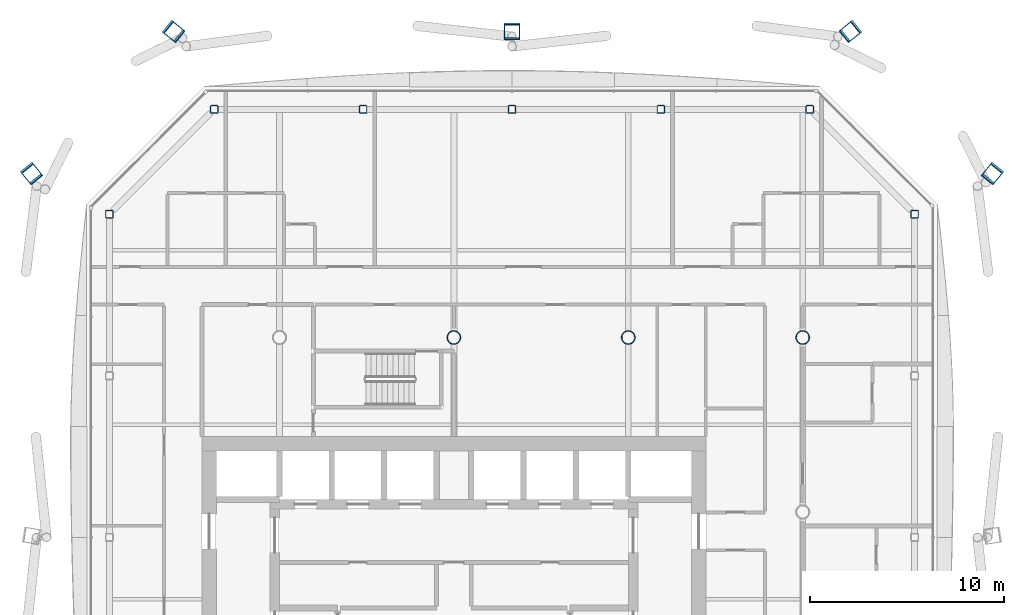
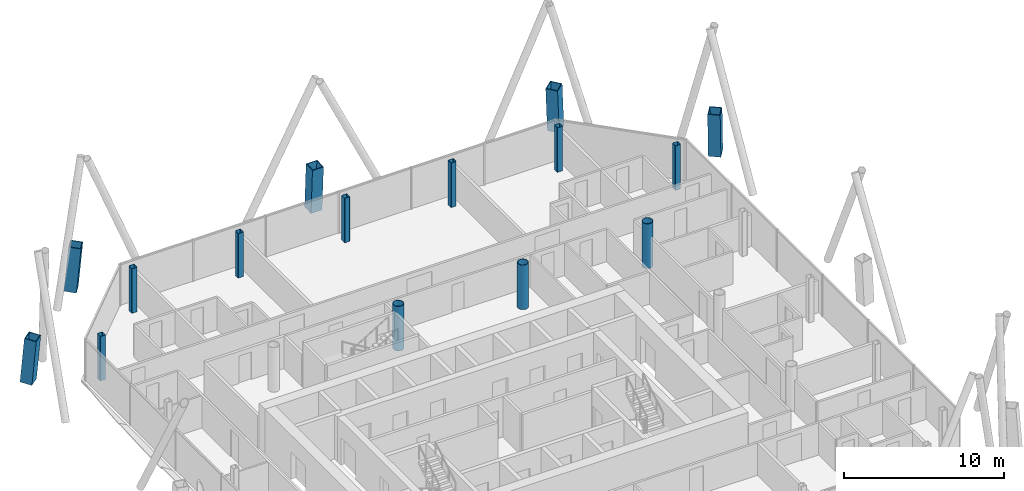
# One storey, part 3 of 20: 15 columns.
"""IFC4 building model written with IfcOpenShell, lengths in metres."""

from ifc_helpers import new_model, si_unit, direction, frame, origin, origin_2d, place, context, subcontext, project, spatial, hollow_rectangle, hollow_circle, extrude, material, material_profile, profile_set, type_object, element, save


model = new_model("IFC4")

# Units and contexts
model_context = context("Model", 3, precision=1e-05, world=origin(), true_north=direction((0.0, 1.0)))
body_context = subcontext(model_context, "Body", "Model", "MODEL_VIEW")
ifc_project = project(units=[si_unit("LENGTHUNIT", "METRE"), si_unit("AREAUNIT", "SQUARE_METRE"), si_unit("VOLUMEUNIT", "CUBIC_METRE"), si_unit("PLANEANGLEUNIT", "RADIAN"), si_unit("MASSUNIT", "GRAM", prefix="KILO")], contexts=[model_context])

# Site, building, storey
site_placement = place(None, origin())
site = spatial("IfcSite", under=ifc_project, at=site_placement, CompositionType="ELEMENT")
building_placement = place(site_placement, origin())
building = spatial("IfcBuilding", under=site, at=building_placement, Name="Tskaro Facet Tower", CompositionType="ELEMENT")
storey_placement = place(building_placement, frame((0.0, 0.0, 152.10009765625)))
storey = spatial("IfcBuildingStorey", under=building, at=storey_placement, Name="L37", CompositionType="ELEMENT", Elevation=152.10009765625)

# Columns
ifc_material_1 = material(Name="Steel S460M", Category="steel")
ifc_material_profile_1 = material_profile(ifc_material_1, hollow_rectangle(XDim=0.800048828125, YDim=0.800048828125, WallThickness=0.050048828125, at=origin_2d()), Name="BOX 800x800x50")
ifc_profile_set_1 = profile_set([ifc_material_profile_1], Name="Steel S460M")
column_type_1 = type_object("IfcColumnType", Name="BOX 800x800x50 mega column", PredefinedType="COLUMN", material=ifc_profile_set_1)
for number, where, z_axis, x_axis, name in (
    (1, (27.823974609375, 17.4990234375, 0.0), (-0.053587646879, -0.066537398661, 0.996343885755), (0.778822091241, -0.627244888537, 0.0), "BOX 800x800x50 MC06/3"),
    (2, (20.4990234375, 24.823974609375, 0.0), (-0.066537398661, -0.053587646879, 0.996343885755), (0.627244888537, -0.778822091241, 0.0), "BOX 800x800x50 MC07/3"),
):
    element("IfcColumn", number, at=place(storey_placement, frame(where, z_axis=z_axis, x_axis=x_axis)), inside=storey, type_object=column_type_1, Name=name, PredefinedType="COLUMN", context=body_context, shape_type="SweptSolid", body=[
        extrude(hollow_rectangle(XDim=0.800048828125, YDim=0.800048828125, WallThickness=0.050048828125, at=origin_2d()), origin(), (0.0, 0.0, 1.0), 3.412353515625),
    ])
column_placement = place(storey_placement, frame((3.0, 24.823974609375, 0.0), z_axis=(0.0, -0.053706664509, 0.998556755616), x_axis=(1.0, 0.0, 0.0)))
element("IfcColumn", 3, at=column_placement, inside=storey, type_object=column_type_1, Name="BOX 800x800x50 MC08/3", PredefinedType="COLUMN", context=body_context, shape_type="SweptSolid", body=[
    extrude(hollow_rectangle(XDim=0.800048828125, YDim=0.800048828125, WallThickness=0.050048828125, at=origin_2d()), origin(), (0.0, 0.0, 1.0), 3.40478515625),
])
for number, where, z_axis, x_axis, name in (
    (4, (-14.4990234375, 24.823974609375, 0.0), (0.066537398661, -0.053587646879, 0.996343885755), (0.627244888537, 0.778822091241, 0.0), "BOX 800x800x50 MC09/3"),
    (5, (-21.823974609375, 17.4990234375, 0.0), (0.053587646879, -0.066537398661, 0.996343885755), (0.778822091241, 0.627244888537, 0.0), "BOX 800x800x50 MC10/3"),
):
    element("IfcColumn", number, at=place(storey_placement, frame(where, z_axis=z_axis, x_axis=x_axis)), inside=storey, type_object=column_type_1, Name=name, PredefinedType="COLUMN", context=body_context, shape_type="SweptSolid", body=[
        extrude(hollow_rectangle(XDim=0.800048828125, YDim=0.800048828125, WallThickness=0.050048828125, at=origin_2d()), origin(), (0.0, 0.0, 1.0), 3.412353515625),
    ])
ifc_material_2 = material(Name="Steel S355J2H", Category="steel")
ifc_material_profile_2 = material_profile(ifc_material_2, hollow_circle(Radius=0.35546875, WallThickness=0.031982421875, at=origin_2d()), Name="CHS 711x32")
ifc_profile_set_2 = profile_set([ifc_material_profile_2], Name="Steel S355J2H")
column_type_2 = type_object("IfcColumnType", Name="CHS 711x32 interior column", PredefinedType="COLUMN", material=ifc_profile_set_2)
for number, where, z_axis, x_axis, name in (
    (6, (0.0, 9.0, 0.0), (0.0, 0.0, 1.0), (1.0, 0.0, 0.0), "CHS 711x32 C4E/3"),
    (7, (9.0, 9.0, 0.0), (0.0, 0.0, 1.0), (1.0, 0.0, 0.0), "CHS 711x32 C5E/3"),
    (8, (18.0, 9.0, 0.0), (0.0, 0.0, 1.0), (1.0, 0.0, 0.0), "CHS 711x32 C6E/3"),
):
    element("IfcColumn", number, at=place(storey_placement, frame(where, z_axis=z_axis, x_axis=x_axis)), inside=storey, type_object=column_type_2, Name=name, PredefinedType="COLUMN", context=body_context, shape_type="SweptSolid", body=[
        extrude(hollow_circle(Radius=0.35546875, WallThickness=0.031982421875, at=origin_2d()), origin(), (0.0, 0.0, 1.0), 3.39990234375),
    ])
ifc_material_profile_3 = material_profile(ifc_material_2, hollow_rectangle(XDim=0.39990234375, YDim=0.39990234375, WallThickness=0.02001953125, InnerFilletRadius=0.030029296875, OuterFilletRadius=0.050048828125, at=origin_2d()), Name="SHS 400x400x20")
ifc_profile_set_3 = profile_set([ifc_material_profile_3], Name="Steel S355J2H")
column_type_3 = type_object("IfcColumnType", Name="SHS 400x400x20 ring column", PredefinedType="COLUMN", material=ifc_profile_set_3)
for number, where, z_axis, x_axis, name in (
    (9, (23.77392578125, 15.367919921875, 0.0), (0.0, 0.0, 1.0), (1.0, 0.0, 0.0), "SHS 400x400x20 RNE-1/3"),
    (10, (18.367919921875, 20.77392578125, 0.0), (0.0, 0.0, 1.0), (1.0, 0.0, 0.0), "SHS 400x400x20 RN-1/3"),
    (11, (10.68408203125, 20.77392578125, 0.0), (0.0, 0.0, 1.0), (1.0, 0.0, 0.0), "SHS 400x400x20 RN-2/3"),
    (12, (3.0, 20.77392578125, 0.0), (0.0, 0.0, 1.0), (1.0, 0.0, 0.0), "SHS 400x400x20 RN-3/3"),
    (13, (-4.68408203125, 20.77392578125, 0.0), (0.0, 0.0, 1.0), (1.0, 0.0, 0.0), "SHS 400x400x20 RN-4/3"),
    (14, (-12.367919921875, 20.77392578125, 0.0), (0.0, 0.0, 1.0), (1.0, 0.0, 0.0), "SHS 400x400x20 RNW-1/3"),
    (15, (-17.77392578125, 15.367919921875, 0.0), (0.0, 0.0, 1.0), (1.0, 0.0, 0.0), "SHS 400x400x20 RW-1/3"),
):
    element("IfcColumn", number, at=place(storey_placement, frame(where, z_axis=z_axis, x_axis=x_axis)), inside=storey, type_object=column_type_3, Name=name, PredefinedType="COLUMN", context=body_context, shape_type="SweptSolid", body=[
        extrude(hollow_rectangle(XDim=0.39990234375, YDim=0.39990234375, WallThickness=0.02001953125, InnerFilletRadius=0.030029296875, OuterFilletRadius=0.050048828125, at=origin_2d()), origin(), (0.0, 0.0, 1.0), 3.39990234375),
    ])

save(model, "model.ifc")
